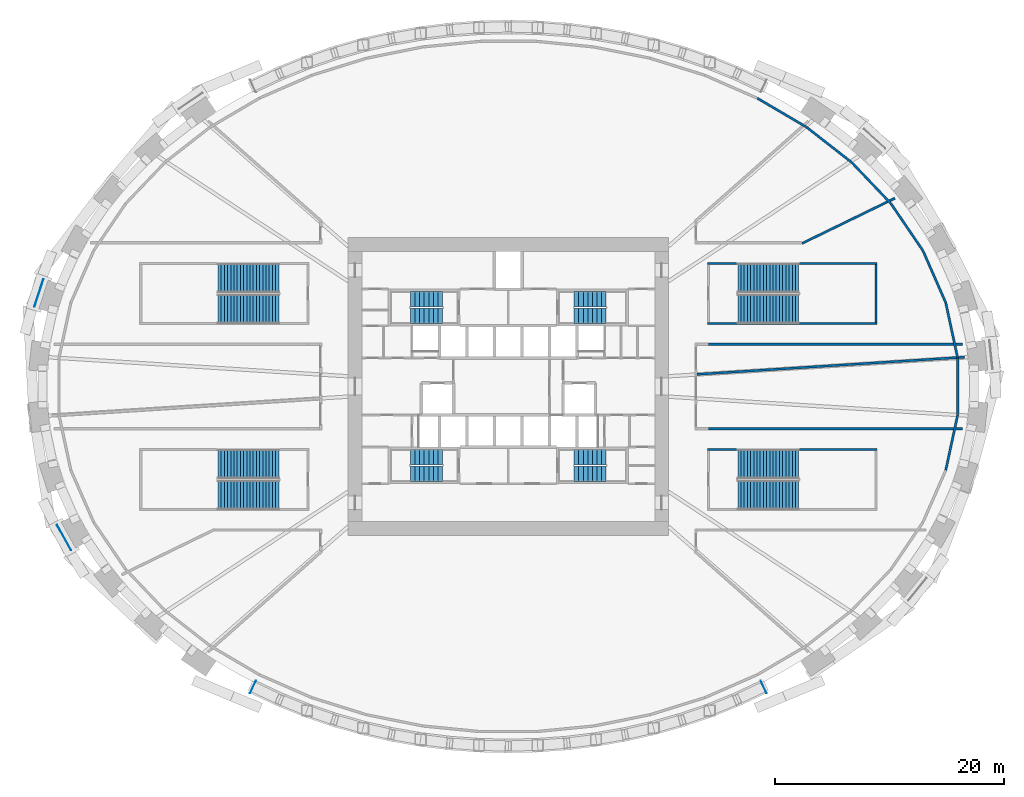
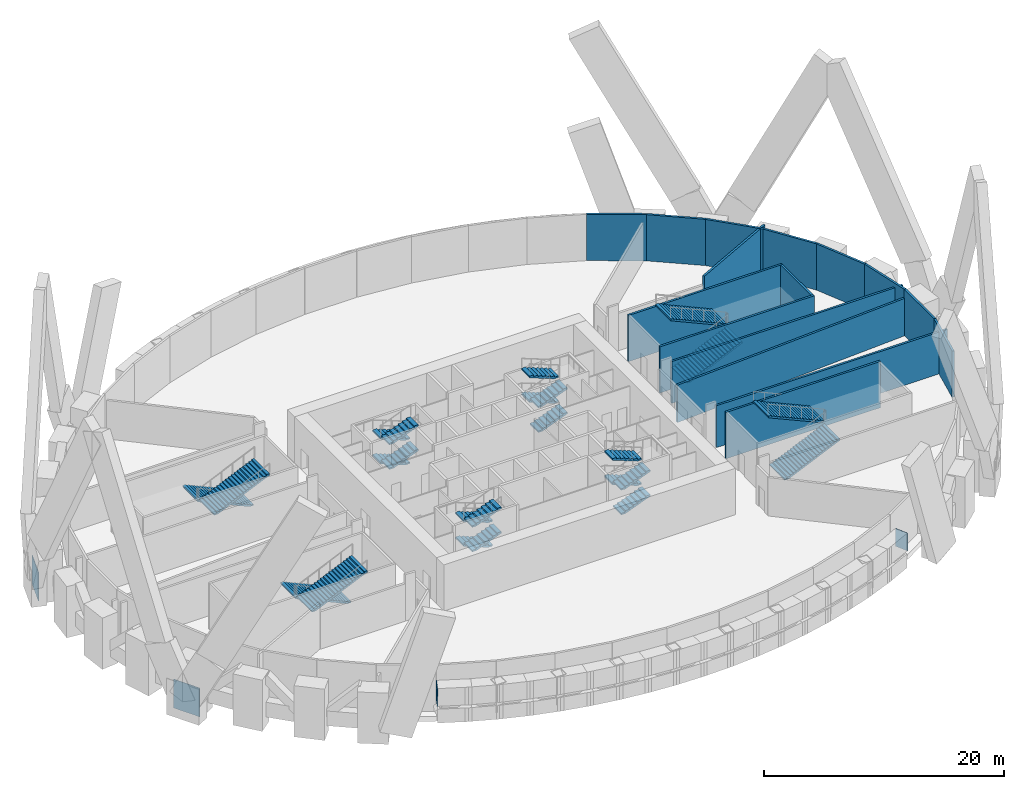
# One storey, part 11 of 16: 24 stair flights, 16 walls, 4 discrete accessories, 8 elements without a shape of their own.
"""IFC4 building model written with IfcOpenShell, lengths in metres."""

from ifc_helpers import new_model, si_unit, direction, frame, frame_2d, origin, origin_2d, place, context, subcontext, project, spatial, polyline, rectangle, outline, extrude, source, transform, mapped, material, layer, layer_set, type_object, element, aggregate, save


model = new_model("IFC4")

# Units and contexts
model_context = context("Model", 3, precision=1e-05, world=origin(), true_north=direction((0.0, 1.0)))
body_context = subcontext(model_context, "Body", "Model", "MODEL_VIEW")
ifc_project = project(units=[si_unit("LENGTHUNIT", "METRE"), si_unit("AREAUNIT", "SQUARE_METRE"), si_unit("VOLUMEUNIT", "CUBIC_METRE"), si_unit("PLANEANGLEUNIT", "RADIAN"), si_unit("MASSUNIT", "GRAM", prefix="KILO")], contexts=[model_context])

# Site, building, storey
site_placement = place(None, origin())
site = spatial("IfcSite", under=ifc_project, at=site_placement, CompositionType="ELEMENT")
building_placement = place(site_placement, origin())
building = spatial("IfcBuilding", under=site, at=building_placement, Name="Embergate Tower", CompositionType="ELEMENT")
storey_placement = place(building_placement, frame((0.0, 0.0, 24.0)))
storey = spatial("IfcBuildingStorey", under=building, at=storey_placement, Name="L02", CompositionType="ELEMENT", Elevation=24.0)

# Walls
ifc_material_1 = material(Name="Terracotta louvre cladding on insulated backing", Category="masonry")
ifc_layer_1 = layer(ifc_material_1, 0.199951171875)
ifc_layer_set_1 = layer_set([ifc_layer_1], Name="Terracotta louvre cladding on insulated backing")
wall_type_1 = type_object("IfcWallType", Name="Terracotta louvre wall", PredefinedType="SOLIDWALL", material=ifc_layer_set_1)
shared_shape_1 = source(origin(), body_context, "Body", "SweptSolid", [
    extrude(rectangle(XDim=4.9365234375, YDim=0.199951171875, at=frame_2d((2.46826171875, 0.0))), origin(), (0.0, 0.0, 1.0), 4.699951171875),
])
for number, where, z_axis, x_axis, name in (
    (1, (38.22265625, 7.3125, 0.0), (0.0, 0.0, 1.0), (0.210390283852, -0.97761747553, 0.0), "Louvre wall 1"),
    (2, (39.26123046875, -2.486572265625, 0.0), (0.0, 0.0, 1.0), (-0.210390283852, -0.97761747553, 0.0), "Louvre wall 43"),
):
    element("IfcWall", number, at=place(storey_placement, frame(where, z_axis=z_axis, x_axis=x_axis)), inside=storey, type_object=wall_type_1, Name=name, PredefinedType="SOLIDWALL", context=body_context, shape_type="MappedRepresentation", body=[
        mapped(shared_shape_1, transform((0.0, 0.0, 0.0))),
    ])
shared_shape_2 = source(origin(), body_context, "Body", "SweptSolid", [
    extrude(rectangle(XDim=4.943603515625, YDim=0.199951171875, at=frame_2d((2.4716796875, 0.0))), origin(), (0.0, 0.0, 1.0), 4.699951171875),
])
wall_1_placement = place(storey_placement, frame((36.23095703125, 11.858642578125, 0.0), z_axis=(0.0, 0.0, 1.0), x_axis=(0.401647689183, -0.91579426389, 0.0)))
element("IfcWall", 3, at=wall_1_placement, inside=storey, type_object=wall_type_1, Name="Louvre wall 2", PredefinedType="SOLIDWALL", context=body_context, shape_type="MappedRepresentation", body=[
    mapped(shared_shape_2, transform((0.0, 0.0, 0.0))),
])
shared_shape_3 = source(origin(), body_context, "Body", "SweptSolid", [
    extrude(rectangle(XDim=4.95263671875, YDim=0.199951171875, at=frame_2d((2.476318359375, 0.0))), origin(), (0.0, 0.0, 1.0), 4.699951171875),
])
wall_2_placement = place(storey_placement, frame((33.436279296875, 15.9716796875, 0.0), z_axis=(0.0, 0.0, 1.0), x_axis=(0.562310021407, -0.82692650207, 0.0)))
element("IfcWall", 4, at=wall_2_placement, inside=storey, type_object=wall_type_1, Name="Louvre wall 3", PredefinedType="SOLIDWALL", context=body_context, shape_type="MappedRepresentation", body=[
    mapped(shared_shape_3, transform((0.0, 0.0, 0.0))),
])
shared_shape_4 = source(origin(), body_context, "Body", "SweptSolid", [
    extrude(rectangle(XDim=4.961669921875, YDim=0.199951171875, at=frame_2d((2.48095703125, 0.0))), origin(), (0.0, 0.0, 1.0), 4.699951171875),
])
wall_3_placement = place(storey_placement, frame((29.99951171875, 19.577880859375, 0.0), z_axis=(0.0, 0.0, 1.0), x_axis=(0.690103504096, -0.723710683654, 0.0)))
element("IfcWall", 5, at=wall_3_placement, inside=storey, type_object=wall_type_1, Name="Louvre wall 4", PredefinedType="SOLIDWALL", context=body_context, shape_type="MappedRepresentation", body=[
    mapped(shared_shape_4, transform((0.0, 0.0, 0.0))),
])
shared_shape_5 = source(origin(), body_context, "Body", "SweptSolid", [
    extrude(rectangle(XDim=4.96923828125, YDim=0.199951171875, at=frame_2d((2.484619140625, 0.0))), origin(), (0.0, 0.0, 1.0), 4.699951171875),
])
wall_4_placement = place(storey_placement, frame((26.0673828125, 22.648681640625, 0.0), z_axis=(0.0, 0.0, 1.0), x_axis=(0.788332637982, -0.615249259968, 0.0)))
element("IfcWall", 6, at=wall_4_placement, inside=storey, type_object=wall_type_1, Name="Louvre wall 5", PredefinedType="SOLIDWALL", context=body_context, shape_type="MappedRepresentation", body=[
    mapped(shared_shape_5, transform((0.0, 0.0, 0.0))),
])
shared_shape_6 = source(origin(), body_context, "Body", "SweptSolid", [
    extrude(rectangle(XDim=4.975341796875, YDim=0.199951171875, at=frame_2d((2.48779296875, 0.0))), origin(), (0.0, 0.0, 1.0), 4.699951171875),
])
wall_5_placement = place(storey_placement, frame((21.761962890625, 25.181640625, 0.0), z_axis=(0.0, 0.0, 1.0), x_axis=(0.86203133229, -0.506854991246, 0.0)))
element("IfcWall", 7, at=wall_5_placement, inside=storey, type_object=wall_type_1, Name="Louvre wall 6", PredefinedType="SOLIDWALL", context=body_context, shape_type="MappedRepresentation", body=[
    mapped(shared_shape_6, transform((0.0, 0.0, 0.0))),
])
shared_shape_7 = source(origin(), body_context, "Body", "SweptSolid", [
    extrude(rectangle(XDim=4.93359375, YDim=0.199951171875, at=frame_2d((2.466796875, 0.0))), origin(), (0.0, 0.0, 1.0), 4.699951171875),
])
wall_6_placement = place(storey_placement, frame((39.26318359375, 2.466796875, 0.0), z_axis=(0.0, 0.0, 1.0), x_axis=(0.0, -1.0, 0.0)))
element("IfcWall", 8, at=wall_6_placement, inside=storey, type_object=wall_type_1, Name="Louvre wall 44", PredefinedType="SOLIDWALL", context=body_context, shape_type="MappedRepresentation", body=[
    mapped(shared_shape_7, transform((0.0, 0.0, 0.0))),
])
ifc_material_2 = material(Name="Blockwork, plastered", Category="masonry")
ifc_layer_2 = layer(ifc_material_2, 0.199951171875)
ifc_layer_set_2 = layer_set([ifc_layer_2], Name="Blockwork, plastered")
wall_type_2 = type_object("IfcWallType", Name="Fire partition wall 200 block", PredefinedType="PARTITIONING", material=ifc_layer_set_2)
shared_shape_8 = source(origin(), body_context, "Body", "SweptSolid", [
    extrude(rectangle(XDim=22.196044921875, YDim=0.199951171875, at=frame_2d((11.09814453125, 0.0))), origin(), (0.0, 0.0, 1.0), 4.25),
])
for number, where, z_axis, x_axis, name in (
    (9, (17.5, 3.699951171875, 0.0), (0.0, 0.0, 1.0), (1.0, 0.0, 0.0), "Partition 038"),
    (10, (39.696044921875, -3.699951171875, 0.0), (0.0, 0.0, 1.0), (-1.0, 0.0, 0.0), "Partition 048"),
):
    element("IfcWall", number, at=place(storey_placement, frame(where, z_axis=z_axis, x_axis=x_axis)), inside=storey, type_object=wall_type_2, Name=name, PredefinedType="PARTITIONING", context=body_context, shape_type="MappedRepresentation", body=[
        mapped(shared_shape_8, transform((0.0, 0.0, 0.0))),
    ])
shared_shape_9 = source(origin(), body_context, "Body", "SweptSolid", [
    extrude(rectangle(XDim=8.994873046875, YDim=0.199951171875, at=frame_2d((4.49755859375, 0.0))), origin(), (0.0, 0.0, 1.0), 4.699951171875),
])
wall_7_placement = place(storey_placement, frame((33.76708984375, 16.444091796875, 0.0), z_axis=(0.0, 0.0, 1.0), x_axis=(-0.899073426837, -0.437797867921, 0.0)))
element("IfcWall", 11, at=wall_7_placement, inside=storey, type_object=wall_type_2, Name="Partition 047", PredefinedType="PARTITIONING", context=body_context, shape_type="MappedRepresentation", body=[
    mapped(shared_shape_9, transform((0.0, 0.0, 0.0))),
])
ifc_material_3 = material(Name="Concrete C40", Category="concrete")
ifc_layer_3 = layer(ifc_material_3, 0.199951171875)
ifc_layer_set_3 = layer_set([ifc_layer_3], Name="Concrete C40")
wall_type_3 = type_object("IfcWallType", Name="Stair enclosure wall RC 200", PredefinedType="STANDARD", material=ifc_layer_set_3)
shared_shape_10 = source(origin(), body_context, "Body", "SweptSolid", [
    extrude(rectangle(XDim=5.0498046875, YDim=0.199951171875, at=frame_2d((2.52490234375, 0.0))), origin(), (0.0, 0.0, 1.0), 4.699951171875),
])
wall_8_placement = place(storey_placement, frame((32.1201171875, 10.64990234375, 0.0), z_axis=(0.0, 0.0, 1.0), x_axis=(0.0, -1.0, 0.0)))
element("IfcWall", 12, at=wall_8_placement, inside=storey, type_object=wall_type_3, Name="Stair wall 046", PredefinedType="STANDARD", context=body_context, shape_type="MappedRepresentation", body=[
    mapped(shared_shape_10, transform((0.0, 0.0, 0.0))),
])
shared_shape_11 = source(origin(), body_context, "Body", "SweptSolid", [
    extrude(rectangle(XDim=14.820068359375, YDim=0.199951171875, at=frame_2d((7.41015625, 0.0))), origin(), (0.0, 0.0, 1.0), 4.699951171875),
])
for number, where, z_axis, x_axis, name in (
    (13, (17.39990234375, 5.5, 0.0), (0.0, 0.0, 1.0), (1.0, 0.0, 0.0), "Stair wall 039"),
    (14, (32.219970703125, -5.5, 0.0), (0.0, 0.0, 1.0), (-1.0, 0.0, 0.0), "Stair wall 043"),
    (15, (32.219970703125, 10.75, 0.0), (0.0, 0.0, 1.0), (-1.0, 0.0, 0.0), "Stair wall 045"),
):
    element("IfcWall", number, at=place(storey_placement, frame(where, z_axis=z_axis, x_axis=x_axis)), inside=storey, type_object=wall_type_3, Name=name, PredefinedType="STANDARD", context=body_context, shape_type="MappedRepresentation", body=[
        mapped(shared_shape_11, transform((0.0, 0.0, 0.0))),
    ])
shared_shape_12 = source(origin(), body_context, "Body", "SweptSolid", [
    extrude(rectangle(XDim=23.40625, YDim=0.199951171875, at=frame_2d((11.703125, 0.0))), origin(), (0.0, 0.0, 1.0), 3.800048828125),
])
wall_9_placement = place(storey_placement, frame((16.5, 1.06201171875, 0.0), z_axis=(0.0, 0.0, 1.0), x_axis=(0.997933688186, 0.06425226832, 0.0)))
element("IfcWall", 16, at=wall_9_placement, inside=storey, type_object=wall_type_2, Name="Partition 028", PredefinedType="PARTITIONING", context=body_context, shape_type="MappedRepresentation", body=[
    mapped(shared_shape_12, transform((0.0, 0.0, 0.0))),
])

# Stair, stair flights
ifc_material_4 = material(Name="Exit stair")
stair_type_1 = type_object("IfcStairType", Name="Exit stair", PredefinedType="HALF_TURN_STAIR", material=ifc_material_4)
stair_1_placement = place(storey_placement, origin())
stair_1 = element("IfcStair", 17, at=stair_1_placement, inside=storey, type_object=stair_type_1, Name="L02 Exit stair 1", PredefinedType="HALF_TURN_STAIR")
stair_flight_type_1 = type_object("IfcStairFlightType", Name="Stair flight reinforced concrete", PredefinedType="STRAIGHT", material=ifc_material_3)
shared_shape_13 = source(origin(), body_context, "Body", "SweptSolid", [
    extrude(outline(polyline([(0.0, 0.0), (0.0, 0.15625), (0.39990234375, 0.15625), (0.39990234375, 0.3125), (0.800048828125, 0.3125), (0.800048828125, 0.46875), (1.199951171875, 0.46875), (1.199951171875, 0.625), (1.60009765625, 0.625), (1.60009765625, 0.78125), (2.0, 0.78125), (2.0, 0.9375), (2.39990234375, 0.9375), (2.39990234375, 1.09375), (2.800048828125, 1.09375), (2.800048828125, 1.25), (2.800048828125, 0.932861328125), (0.412109375, 0.0), (0.0, 0.0)])), frame((0.0, 0.675048828125, 0.0), z_axis=(0.0, -1.0, 0.0), x_axis=(1.0, 0.0, 0.0)), (0.0, 0.0, 1.0), 1.35009765625),
])
stair_flight_1_placement = place(storey_placement, frame((-5.75, 7.625, 0.0), z_axis=(0.0, 0.0, 1.0), x_axis=(-1.0, 0.0, 0.0)))
stair_flight_1 = element("IfcStairFlight", 18, at=stair_flight_1_placement, type_object=stair_flight_type_1, Name="ST1 flight 1", NumberOfRisers=8, NumberOfTreads=7, PredefinedType="STRAIGHT", RiserHeight=0.15625, TreadLength=0.4, context=body_context, shape_type="MappedRepresentation", body=[
    mapped(shared_shape_13, transform((0.0, 0.0, 0.0))),
])
stair_flight_2_placement = place(storey_placement, frame((-8.550048828125, 6.175048828125, 1.25), z_axis=(0.0, 0.0, 1.0), x_axis=(1.0, 0.0, 0.0)))
stair_flight_2 = element("IfcStairFlight", 19, at=stair_flight_2_placement, type_object=stair_flight_type_1, Name="ST1 flight 2", NumberOfRisers=8, NumberOfTreads=7, PredefinedType="STRAIGHT", RiserHeight=0.15625, TreadLength=0.4, context=body_context, shape_type="MappedRepresentation", body=[
    mapped(shared_shape_13, transform((0.0, 0.0, 0.0))),
])
stair_flight_3_placement = place(storey_placement, frame((-5.75, 7.625, 2.5), z_axis=(0.0, 0.0, 1.0), x_axis=(-1.0, 0.0, 0.0)))
stair_flight_3 = element("IfcStairFlight", 20, at=stair_flight_3_placement, type_object=stair_flight_type_1, Name="ST1 flight 3", NumberOfRisers=8, NumberOfTreads=7, PredefinedType="STRAIGHT", RiserHeight=0.15625, TreadLength=0.4, context=body_context, shape_type="MappedRepresentation", body=[
    mapped(shared_shape_13, transform((0.0, 0.0, 0.0))),
])
stair_flight_4_placement = place(storey_placement, frame((-8.550048828125, 6.175048828125, 3.75), z_axis=(0.0, 0.0, 1.0), x_axis=(1.0, 0.0, 0.0)))
stair_flight_4 = element("IfcStairFlight", 21, at=stair_flight_4_placement, type_object=stair_flight_type_1, Name="ST1 flight 4", NumberOfRisers=8, NumberOfTreads=7, PredefinedType="STRAIGHT", RiserHeight=0.15625, TreadLength=0.4, context=body_context, shape_type="MappedRepresentation", body=[
    mapped(shared_shape_13, transform((0.0, 0.0, 0.0))),
])
aggregate(stair_1, [stair_flight_1, stair_flight_2, stair_flight_3, stair_flight_4])

stair_2_placement = place(storey_placement, origin())
stair_2 = element("IfcStair", 22, at=stair_2_placement, inside=storey, type_object=stair_type_1, Name="L02 Exit stair 2", PredefinedType="HALF_TURN_STAIR")
stair_flight_5_placement = place(storey_placement, frame((5.75, 6.175048828125, 0.0), z_axis=(0.0, 0.0, 1.0), x_axis=(1.0, 0.0, 0.0)))
stair_flight_5 = element("IfcStairFlight", 23, at=stair_flight_5_placement, type_object=stair_flight_type_1, Name="ST2 flight 1", NumberOfRisers=8, NumberOfTreads=7, PredefinedType="STRAIGHT", RiserHeight=0.15625, TreadLength=0.4, context=body_context, shape_type="MappedRepresentation", body=[
    mapped(shared_shape_13, transform((0.0, 0.0, 0.0))),
])
stair_flight_6_placement = place(storey_placement, frame((8.550048828125, 7.625, 1.25), z_axis=(0.0, 0.0, 1.0), x_axis=(-1.0, 0.0, 0.0)))
stair_flight_6 = element("IfcStairFlight", 24, at=stair_flight_6_placement, type_object=stair_flight_type_1, Name="ST2 flight 2", NumberOfRisers=8, NumberOfTreads=7, PredefinedType="STRAIGHT", RiserHeight=0.15625, TreadLength=0.4, context=body_context, shape_type="MappedRepresentation", body=[
    mapped(shared_shape_13, transform((0.0, 0.0, 0.0))),
])
stair_flight_7_placement = place(storey_placement, frame((5.75, 6.175048828125, 2.5), z_axis=(0.0, 0.0, 1.0), x_axis=(1.0, 0.0, 0.0)))
stair_flight_7 = element("IfcStairFlight", 25, at=stair_flight_7_placement, type_object=stair_flight_type_1, Name="ST2 flight 3", NumberOfRisers=8, NumberOfTreads=7, PredefinedType="STRAIGHT", RiserHeight=0.15625, TreadLength=0.4, context=body_context, shape_type="MappedRepresentation", body=[
    mapped(shared_shape_13, transform((0.0, 0.0, 0.0))),
])
stair_flight_8_placement = place(storey_placement, frame((8.550048828125, 7.625, 3.75), z_axis=(0.0, 0.0, 1.0), x_axis=(-1.0, 0.0, 0.0)))
stair_flight_8 = element("IfcStairFlight", 26, at=stair_flight_8_placement, type_object=stair_flight_type_1, Name="ST2 flight 4", NumberOfRisers=8, NumberOfTreads=7, PredefinedType="STRAIGHT", RiserHeight=0.15625, TreadLength=0.4, context=body_context, shape_type="MappedRepresentation", body=[
    mapped(shared_shape_13, transform((0.0, 0.0, 0.0))),
])
aggregate(stair_2, [stair_flight_5, stair_flight_6, stair_flight_7, stair_flight_8])

stair_3_placement = place(storey_placement, origin())
stair_3 = element("IfcStair", 27, at=stair_3_placement, inside=storey, type_object=stair_type_1, Name="L02 Exit stair 3", PredefinedType="HALF_TURN_STAIR")
stair_flight_9_placement = place(storey_placement, frame((-5.75, -6.175048828125, 0.0), z_axis=(0.0, 0.0, 1.0), x_axis=(-1.0, 0.0, 0.0)))
stair_flight_9 = element("IfcStairFlight", 28, at=stair_flight_9_placement, type_object=stair_flight_type_1, Name="ST3 flight 1", NumberOfRisers=8, NumberOfTreads=7, PredefinedType="STRAIGHT", RiserHeight=0.15625, TreadLength=0.4, context=body_context, shape_type="MappedRepresentation", body=[
    mapped(shared_shape_13, transform((0.0, 0.0, 0.0))),
])
stair_flight_10_placement = place(storey_placement, frame((-8.550048828125, -7.625, 1.25), z_axis=(0.0, 0.0, 1.0), x_axis=(1.0, 0.0, 0.0)))
stair_flight_10 = element("IfcStairFlight", 29, at=stair_flight_10_placement, type_object=stair_flight_type_1, Name="ST3 flight 2", NumberOfRisers=8, NumberOfTreads=7, PredefinedType="STRAIGHT", RiserHeight=0.15625, TreadLength=0.4, context=body_context, shape_type="MappedRepresentation", body=[
    mapped(shared_shape_13, transform((0.0, 0.0, 0.0))),
])
stair_flight_11_placement = place(storey_placement, frame((-5.75, -6.175048828125, 2.5), z_axis=(0.0, 0.0, 1.0), x_axis=(-1.0, 0.0, 0.0)))
stair_flight_11 = element("IfcStairFlight", 30, at=stair_flight_11_placement, type_object=stair_flight_type_1, Name="ST3 flight 3", NumberOfRisers=8, NumberOfTreads=7, PredefinedType="STRAIGHT", RiserHeight=0.15625, TreadLength=0.4, context=body_context, shape_type="MappedRepresentation", body=[
    mapped(shared_shape_13, transform((0.0, 0.0, 0.0))),
])
stair_flight_12_placement = place(storey_placement, frame((-8.550048828125, -7.625, 3.75), z_axis=(0.0, 0.0, 1.0), x_axis=(1.0, 0.0, 0.0)))
stair_flight_12 = element("IfcStairFlight", 31, at=stair_flight_12_placement, type_object=stair_flight_type_1, Name="ST3 flight 4", NumberOfRisers=8, NumberOfTreads=7, PredefinedType="STRAIGHT", RiserHeight=0.15625, TreadLength=0.4, context=body_context, shape_type="MappedRepresentation", body=[
    mapped(shared_shape_13, transform((0.0, 0.0, 0.0))),
])
aggregate(stair_3, [stair_flight_9, stair_flight_10, stair_flight_11, stair_flight_12])

stair_4_placement = place(storey_placement, origin())
stair_4 = element("IfcStair", 32, at=stair_4_placement, inside=storey, type_object=stair_type_1, Name="L02 Exit stair 4", PredefinedType="HALF_TURN_STAIR")
stair_flight_13_placement = place(storey_placement, frame((5.75, -7.625, 0.0), z_axis=(0.0, 0.0, 1.0), x_axis=(1.0, 0.0, 0.0)))
stair_flight_13 = element("IfcStairFlight", 33, at=stair_flight_13_placement, type_object=stair_flight_type_1, Name="ST4 flight 1", NumberOfRisers=8, NumberOfTreads=7, PredefinedType="STRAIGHT", RiserHeight=0.15625, TreadLength=0.4, context=body_context, shape_type="MappedRepresentation", body=[
    mapped(shared_shape_13, transform((0.0, 0.0, 0.0))),
])
stair_flight_14_placement = place(storey_placement, frame((8.550048828125, -6.175048828125, 1.25), z_axis=(0.0, 0.0, 1.0), x_axis=(-1.0, 0.0, 0.0)))
stair_flight_14 = element("IfcStairFlight", 34, at=stair_flight_14_placement, type_object=stair_flight_type_1, Name="ST4 flight 2", NumberOfRisers=8, NumberOfTreads=7, PredefinedType="STRAIGHT", RiserHeight=0.15625, TreadLength=0.4, context=body_context, shape_type="MappedRepresentation", body=[
    mapped(shared_shape_13, transform((0.0, 0.0, 0.0))),
])
stair_flight_15_placement = place(storey_placement, frame((5.75, -7.625, 2.5), z_axis=(0.0, 0.0, 1.0), x_axis=(1.0, 0.0, 0.0)))
stair_flight_15 = element("IfcStairFlight", 35, at=stair_flight_15_placement, type_object=stair_flight_type_1, Name="ST4 flight 3", NumberOfRisers=8, NumberOfTreads=7, PredefinedType="STRAIGHT", RiserHeight=0.15625, TreadLength=0.4, context=body_context, shape_type="MappedRepresentation", body=[
    mapped(shared_shape_13, transform((0.0, 0.0, 0.0))),
])
stair_flight_16_placement = place(storey_placement, frame((8.550048828125, -6.175048828125, 3.75), z_axis=(0.0, 0.0, 1.0), x_axis=(-1.0, 0.0, 0.0)))
stair_flight_16 = element("IfcStairFlight", 36, at=stair_flight_16_placement, type_object=stair_flight_type_1, Name="ST4 flight 4", NumberOfRisers=8, NumberOfTreads=7, PredefinedType="STRAIGHT", RiserHeight=0.15625, TreadLength=0.4, context=body_context, shape_type="MappedRepresentation", body=[
    mapped(shared_shape_13, transform((0.0, 0.0, 0.0))),
])
aggregate(stair_4, [stair_flight_13, stair_flight_14, stair_flight_15, stair_flight_16])

stair_type_2 = type_object("IfcStairType", Name="Podium exit stair RC", PredefinedType="HALF_TURN_STAIR", material=ifc_material_3)
stair_5_placement = place(storey_placement, origin())
stair_5 = element("IfcStair", 37, at=stair_5_placement, inside=storey, type_object=stair_type_2, Name="L02 Podium exit stair 1", PredefinedType="HALF_TURN_STAIR")
stair_flight_type_2 = type_object("IfcStairFlightType", Name="Podium exit stair flight RC", PredefinedType="STRAIGHT", material=ifc_material_3)
shared_shape_14 = source(origin(), body_context, "Body", "SweptSolid", [
    extrude(outline(polyline([(0.0, 0.0), (0.0, 0.125), (0.280029296875, 0.125), (0.280029296875, 0.25), (0.56005859375, 0.25), (0.56005859375, 0.375), (0.840087890625, 0.375), (0.840087890625, 0.5), (1.1201171875, 0.5), (1.1201171875, 0.625), (1.39990234375, 0.625), (1.39990234375, 0.75), (1.679931640625, 0.75), (1.679931640625, 0.875), (1.9599609375, 0.875), (1.9599609375, 1.0), (2.239990234375, 1.0), (2.239990234375, 1.125), (2.52001953125, 1.125), (2.52001953125, 1.25), (2.800048828125, 1.25), (2.800048828125, 1.375), (3.080078125, 1.375), (3.080078125, 1.5), (3.360107421875, 1.5), (3.360107421875, 1.625), (3.639892578125, 1.625), (3.639892578125, 1.75), (3.919921875, 1.75), (3.919921875, 1.875), (4.199951171875, 1.875), (4.199951171875, 2.0), (4.47998046875, 2.0), (4.47998046875, 2.125), (4.760009765625, 2.125), (4.760009765625, 2.25), (5.0400390625, 2.25), (5.0400390625, 2.375), (5.320068359375, 2.375), (5.320068359375, 2.5), (5.320068359375, 2.2109375), (0.36767578125, 0.0), (0.0, 0.0)])), frame((0.0, 1.27490234375, 0.0), z_axis=(0.0, -1.0, 0.0), x_axis=(1.0, 0.0, 0.0)), (0.0, 0.0, 1.0), 2.550048828125),
])
stair_flight_17_placement = place(storey_placement, frame((20.050048828125, 6.77490234375, 0.0), z_axis=(0.0, 0.0, 1.0), x_axis=(1.0, 0.0, 0.0)))
stair_flight_17 = element("IfcStairFlight", 38, at=stair_flight_17_placement, type_object=stair_flight_type_2, Name="P1 flight 1", NumberOfRisers=20, NumberOfTreads=19, PredefinedType="STRAIGHT", RiserHeight=0.125, TreadLength=0.28, context=body_context, shape_type="MappedRepresentation", body=[
    mapped(shared_shape_14, transform((0.0, 0.0, 0.0))),
])
stair_flight_18_placement = place(storey_placement, frame((25.3701171875, 9.47509765625, 2.5), z_axis=(0.0, 0.0, 1.0), x_axis=(-1.0, 0.0, 0.0)))
stair_flight_18 = element("IfcStairFlight", 39, at=stair_flight_18_placement, type_object=stair_flight_type_2, Name="P1 flight 2", NumberOfRisers=20, NumberOfTreads=19, PredefinedType="STRAIGHT", RiserHeight=0.125, TreadLength=0.28, context=body_context, shape_type="MappedRepresentation", body=[
    mapped(shared_shape_14, transform((0.0, 0.0, 0.0))),
])
aggregate(stair_5, [stair_flight_17, stair_flight_18])

stair_6_placement = place(storey_placement, origin())
stair_6 = element("IfcStair", 40, at=stair_6_placement, inside=storey, type_object=stair_type_2, Name="L02 Podium exit stair 2", PredefinedType="HALF_TURN_STAIR")
stair_flight_19_placement = place(storey_placement, frame((20.050048828125, -9.47509765625, 0.0), z_axis=(0.0, 0.0, 1.0), x_axis=(1.0, 0.0, 0.0)))
stair_flight_19 = element("IfcStairFlight", 41, at=stair_flight_19_placement, type_object=stair_flight_type_2, Name="P2 flight 1", NumberOfRisers=20, NumberOfTreads=19, PredefinedType="STRAIGHT", RiserHeight=0.125, TreadLength=0.28, context=body_context, shape_type="MappedRepresentation", body=[
    mapped(shared_shape_14, transform((0.0, 0.0, 0.0))),
])
stair_flight_20_placement = place(storey_placement, frame((25.3701171875, -6.77490234375, 2.5), z_axis=(0.0, 0.0, 1.0), x_axis=(-1.0, 0.0, 0.0)))
stair_flight_20 = element("IfcStairFlight", 42, at=stair_flight_20_placement, type_object=stair_flight_type_2, Name="P2 flight 2", NumberOfRisers=20, NumberOfTreads=19, PredefinedType="STRAIGHT", RiserHeight=0.125, TreadLength=0.28, context=body_context, shape_type="MappedRepresentation", body=[
    mapped(shared_shape_14, transform((0.0, 0.0, 0.0))),
])
aggregate(stair_6, [stair_flight_19, stair_flight_20])

stair_7_placement = place(storey_placement, origin())
stair_7 = element("IfcStair", 43, at=stair_7_placement, inside=storey, type_object=stair_type_2, Name="L02 Podium exit stair 3", PredefinedType="HALF_TURN_STAIR")
stair_flight_21_placement = place(storey_placement, frame((-20.050048828125, 9.47509765625, 0.0), z_axis=(0.0, 0.0, 1.0), x_axis=(-1.0, 0.0, 0.0)))
stair_flight_21 = element("IfcStairFlight", 44, at=stair_flight_21_placement, type_object=stair_flight_type_2, Name="P3 flight 1", NumberOfRisers=20, NumberOfTreads=19, PredefinedType="STRAIGHT", RiserHeight=0.125, TreadLength=0.28, context=body_context, shape_type="MappedRepresentation", body=[
    mapped(shared_shape_14, transform((0.0, 0.0, 0.0))),
])
stair_flight_22_placement = place(storey_placement, frame((-25.3701171875, 6.77490234375, 2.5), z_axis=(0.0, 0.0, 1.0), x_axis=(1.0, 0.0, 0.0)))
stair_flight_22 = element("IfcStairFlight", 45, at=stair_flight_22_placement, type_object=stair_flight_type_2, Name="P3 flight 2", NumberOfRisers=20, NumberOfTreads=19, PredefinedType="STRAIGHT", RiserHeight=0.125, TreadLength=0.28, context=body_context, shape_type="MappedRepresentation", body=[
    mapped(shared_shape_14, transform((0.0, 0.0, 0.0))),
])
aggregate(stair_7, [stair_flight_21, stair_flight_22])

stair_8_placement = place(storey_placement, origin())
stair_8 = element("IfcStair", 46, at=stair_8_placement, inside=storey, type_object=stair_type_2, Name="L02 Podium exit stair 4", PredefinedType="HALF_TURN_STAIR")
stair_flight_23_placement = place(storey_placement, frame((-20.050048828125, -6.77490234375, 0.0), z_axis=(0.0, 0.0, 1.0), x_axis=(-1.0, 0.0, 0.0)))
stair_flight_23 = element("IfcStairFlight", 47, at=stair_flight_23_placement, type_object=stair_flight_type_2, Name="P4 flight 1", NumberOfRisers=20, NumberOfTreads=19, PredefinedType="STRAIGHT", RiserHeight=0.125, TreadLength=0.28, context=body_context, shape_type="MappedRepresentation", body=[
    mapped(shared_shape_14, transform((0.0, 0.0, 0.0))),
])
stair_flight_24_placement = place(storey_placement, frame((-25.3701171875, -9.47509765625, 2.5), z_axis=(0.0, 0.0, 1.0), x_axis=(1.0, 0.0, 0.0)))
stair_flight_24 = element("IfcStairFlight", 48, at=stair_flight_24_placement, type_object=stair_flight_type_2, Name="P4 flight 2", NumberOfRisers=20, NumberOfTreads=19, PredefinedType="STRAIGHT", RiserHeight=0.125, TreadLength=0.28, context=body_context, shape_type="MappedRepresentation", body=[
    mapped(shared_shape_14, transform((0.0, 0.0, 0.0))),
])
aggregate(stair_8, [stair_flight_23, stair_flight_24])

# Discrete accessories
ifc_material_5 = material(Name="Steel Q355D plate", Category="steel")
discrete_accessory_type_1 = type_object("IfcDiscreteAccessoryType", Name="Member end plate 1200x1800", PredefinedType="USERDEFINED", material=ifc_material_5)
shared_shape_15 = source(origin(), body_context, "Body", "SweptSolid", [
    extrude(rectangle(XDim=0.030029296875, YDim=1.199951171875, at=origin_2d()), origin(), (0.0, 0.0, 1.0), 1.800048828125),
])
for number, where, z_axis, x_axis, name in (
    (49, (-22.31103515625, -26.25, 1.7001953125), (0.0, 0.0, 1.0), (0.904373233467, -0.426742374961, 0.0), "End plate"),
    (50, (22.31103515625, -26.25, 1.7001953125), (0.0, 0.0, 1.0), (0.904373233467, 0.426742374961, 0.0), "End plate"),
):
    element("IfcDiscreteAccessory", number, at=place(storey_placement, frame(where, z_axis=z_axis, x_axis=x_axis)), inside=storey, type_object=discrete_accessory_type_1, Name=name, ObjectType="BRACKET", PredefinedType="USERDEFINED", context=body_context, shape_type="MappedRepresentation", body=[
        mapped(shared_shape_15, transform((0.0, 0.0, 0.0))),
    ])
discrete_accessory_type_2 = type_object("IfcDiscreteAccessoryType", Name="Lattice node plate", PredefinedType="USERDEFINED", material=ifc_material_5)
shared_shape_16 = source(origin(), body_context, "Body", "SweptSolid", [
    extrude(rectangle(XDim=2.52001953125, YDim=0.050048828125, at=origin_2d()), origin(), (0.0, 0.0, 1.0), 2.919921875),
])
for number, where, z_axis, x_axis, name in (
    (51, (-41.014892578125, 8.16796875, -1.4599609375), (0.0, 0.0, 1.0), (-0.309946394413, -0.950754033697, 0.0), "Node plate"),
    (52, (-38.80810546875, -13.200927734375, -1.4599609375), (0.0, 0.0, 1.0), (0.486838556403, -0.873491969053, 0.0), "Node plate"),
):
    element("IfcDiscreteAccessory", number, at=place(storey_placement, frame(where, z_axis=z_axis, x_axis=x_axis)), inside=storey, type_object=discrete_accessory_type_2, Name=name, ObjectType="BRACKET", PredefinedType="USERDEFINED", context=body_context, shape_type="MappedRepresentation", body=[
        mapped(shared_shape_16, transform((0.0, 0.0, 0.0))),
    ])

save(model, "model.ifc")
